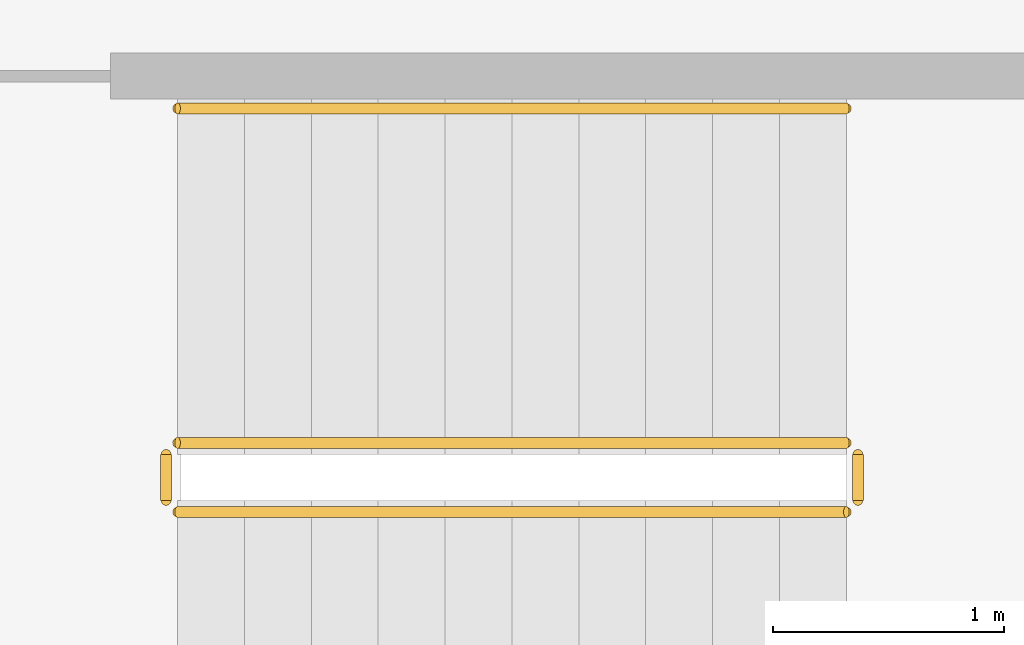
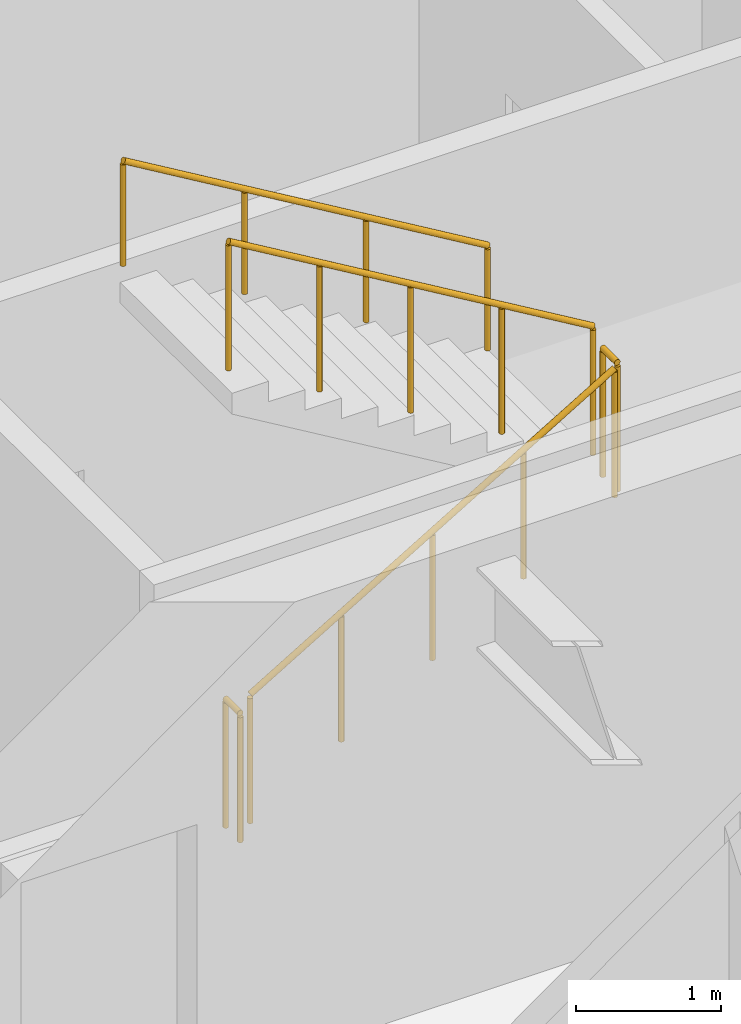
# One storey, part 22 of 23: 5 railings.
"""IFC4 building model written with IfcOpenShell, lengths in metres."""

from ifc_helpers import new_model, si_unit, direction, frame, origin, origin_2d, place, context, subcontext, project, spatial, circle, extrude, material, type_object, element, save


model = new_model("IFC4")

# Units and contexts
model_context = context("Model", 3, precision=1e-05, world=origin(), true_north=direction((0.0, 1.0)))
body_context = subcontext(model_context, "Body", "Model", "MODEL_VIEW")
ifc_project = project(units=[si_unit("LENGTHUNIT", "METRE"), si_unit("AREAUNIT", "SQUARE_METRE"), si_unit("VOLUMEUNIT", "CUBIC_METRE"), si_unit("PLANEANGLEUNIT", "RADIAN"), si_unit("MASSUNIT", "GRAM", prefix="KILO")], contexts=[model_context])

# Site, building, storey
site_placement = place(None, origin())
site = spatial("IfcSite", under=ifc_project, at=site_placement, CompositionType="ELEMENT")
building_placement = place(site_placement, origin())
building = spatial("IfcBuilding", under=site, at=building_placement, Name="Putna Gate Headquarters", CompositionType="ELEMENT")
storey_placement = place(building_placement, frame((0.0, 0.0, 217.60009765625)))
storey = spatial("IfcBuildingStorey", under=building, at=storey_placement, Name="L54", CompositionType="ELEMENT", Elevation=217.60009765625)

# Railings
ifc_material_1 = material(Name="Powder-coated steel stair guardrail", Category="steel")
railing_type_1 = type_object("IfcRailingType", Name="RAIL-STAIR-GUARD-1100", PredefinedType="GUARDRAIL", material=ifc_material_1)
railing_1_placement = place(storey_placement, frame((57.89990234375, 21.10009765625, 0.172607421875)))
element("IfcRailing", 1, at=railing_1_placement, inside=storey, type_object=railing_type_1, Name="L54 ST2 stair guard 1", PredefinedType="GUARDRAIL", context=body_context, shape_type="SweptSolid", body=[
    extrude(circle(Radius=0.02392578125, at=origin_2d()), frame((0.0, 0.0, 1.076171875), z_axis=(0.859160404282, 0.0, 0.51170636083), x_axis=(0.0, 1.0, 0.0)), (0.0, 0.0, 1.0), 3.37548828125),
    extrude(circle(Radius=0.02099609375, at=origin_2d()), origin(), (0.0, 0.0, 1.0), 1.052001953125),
    extrude(circle(Radius=0.02099609375, at=origin_2d()), frame((0.72509765625, 0.0, 0.431884765625)), (0.0, 0.0, 1.0), 1.052001953125),
    extrude(circle(Radius=0.02099609375, at=origin_2d()), frame((1.4501953125, 0.0, 0.86376953125)), (0.0, 0.0, 1.0), 1.052001953125),
    extrude(circle(Radius=0.02099609375, at=origin_2d()), frame((2.175048828125, 0.0, 1.29541015625)), (0.0, 0.0, 1.0), 1.052001953125),
    extrude(circle(Radius=0.02099609375, at=origin_2d()), frame((2.900146484375, 0.0, 1.727294921875)), (0.0, 0.0, 1.0), 1.052001953125),
])
railing_2_placement = place(storey_placement, frame((60.85009765625, 21.14990234375, 1.89990234375)))
element("IfcRailing", 2, at=railing_2_placement, inside=storey, type_object=railing_type_1, Name="L54 ST2 stair guard 2", PredefinedType="GUARDRAIL", context=body_context, shape_type="SweptSolid", body=[
    extrude(circle(Radius=0.02392578125, at=origin_2d()), frame((0.0, 0.0, 1.076171875), z_axis=(0.0, 1.0, 0.0), x_axis=(-1.0, 0.0, 0.0)), (0.0, 0.0, 1.0), 0.2001953125),
    extrude(circle(Radius=0.02099609375, at=origin_2d()), origin(), (0.0, 0.0, 1.0), 1.052001953125),
    extrude(circle(Radius=0.02099609375, at=origin_2d()), frame((0.0, 0.2001953125, 0.0)), (0.0, 0.0, 1.0), 1.052001953125),
])
railing_3_placement = place(storey_placement, frame((60.800048828125, 21.39990234375, 2.072509765625)))
element("IfcRailing", 3, at=railing_3_placement, inside=storey, type_object=railing_type_1, Name="L54 ST2 stair guard 3", PredefinedType="GUARDRAIL", context=body_context, shape_type="SweptSolid", body=[
    extrude(circle(Radius=0.02392578125, at=origin_2d()), frame((0.0, 0.0, 1.076171875), z_axis=(-0.859160404282, 0.0, 0.51170636083), x_axis=(0.0, -1.0, 0.0)), (0.0, 0.0, 1.0), 3.37548828125),
    extrude(circle(Radius=0.02099609375, at=origin_2d()), origin(), (0.0, 0.0, 1.0), 1.052001953125),
    extrude(circle(Radius=0.02099609375, at=origin_2d()), frame((-0.72509765625, 0.0, 0.431884765625)), (0.0, 0.0, 1.0), 1.052001953125),
    extrude(circle(Radius=0.02099609375, at=origin_2d()), frame((-1.4501953125, 0.0, 0.86376953125)), (0.0, 0.0, 1.0), 1.052001953125),
    extrude(circle(Radius=0.02099609375, at=origin_2d()), frame((-2.175048828125, 0.0, 1.29541015625)), (0.0, 0.0, 1.0), 1.052001953125),
    extrude(circle(Radius=0.02099609375, at=origin_2d()), frame((-2.900146484375, 0.0, 1.727294921875)), (0.0, 0.0, 1.0), 1.052001953125),
])
railing_4_placement = place(storey_placement, frame((57.85009765625, 21.14990234375, 0.0)))
element("IfcRailing", 4, at=railing_4_placement, inside=storey, type_object=railing_type_1, Name="L54 ST2 stair guard 4", PredefinedType="GUARDRAIL", context=body_context, shape_type="SweptSolid", body=[
    extrude(circle(Radius=0.02392578125, at=origin_2d()), frame((0.0, 0.0, 1.076171875), z_axis=(0.0, 1.0, 0.0), x_axis=(-1.0, 0.0, 0.0)), (0.0, 0.0, 1.0), 0.2001953125),
    extrude(circle(Radius=0.02099609375, at=origin_2d()), origin(), (0.0, 0.0, 1.0), 1.052001953125),
    extrude(circle(Radius=0.02099609375, at=origin_2d()), frame((0.0, 0.2001953125, 0.0)), (0.0, 0.0, 1.0), 1.052001953125),
])
ifc_material_2 = material(Name="Brushed stainless steel handrail", Category="steel")
railing_type_2 = type_object("IfcRailingType", Name="RAIL-STAIR-HAND-900", PredefinedType="HANDRAIL", material=ifc_material_2)
railing_5_placement = place(storey_placement, frame((60.800048828125, 22.85009765625, 2.072509765625)))
element("IfcRailing", 5, at=railing_5_placement, inside=storey, type_object=railing_type_2, Name="L54 ST2 stair handrail 2", PredefinedType="HANDRAIL", context=body_context, shape_type="SweptSolid", body=[
    extrude(circle(Radius=0.02392578125, at=origin_2d()), frame((0.0, 0.0, 0.8759765625), z_axis=(-0.859160404282, 0.0, 0.51170636083), x_axis=(0.0, -1.0, 0.0)), (0.0, 0.0, 1.0), 3.37548828125),
    extrude(circle(Radius=0.02099609375, at=origin_2d()), origin(), (0.0, 0.0, 1.0), 0.851806640625),
    extrude(circle(Radius=0.02099609375, at=origin_2d()), frame((-0.966796875, 0.0, 0.57568359375)), (0.0, 0.0, 1.0), 0.851806640625),
    extrude(circle(Radius=0.02099609375, at=origin_2d()), frame((-1.933349609375, 0.0, 1.151611328125)), (0.0, 0.0, 1.0), 0.851806640625),
    extrude(circle(Radius=0.02099609375, at=origin_2d()), frame((-2.900146484375, 0.0, 1.727294921875)), (0.0, 0.0, 1.0), 0.851806640625),
])

save(model, "model.ifc")
